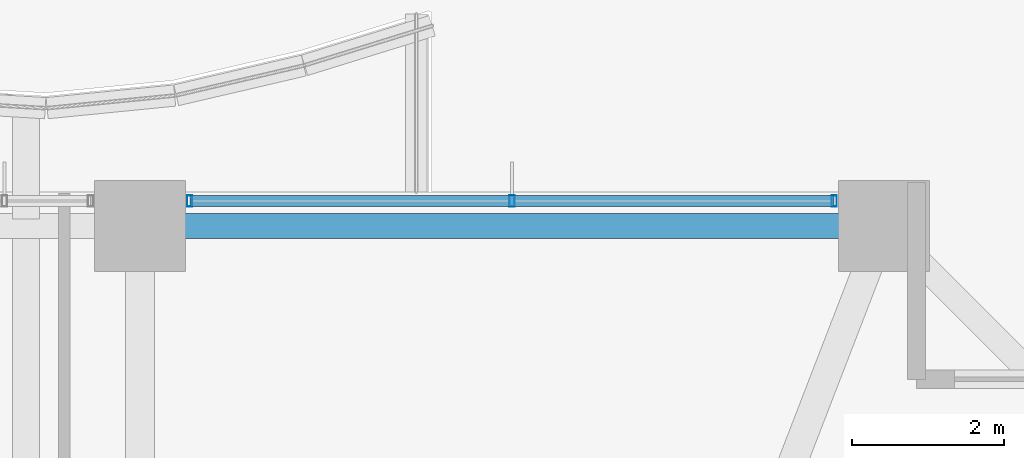
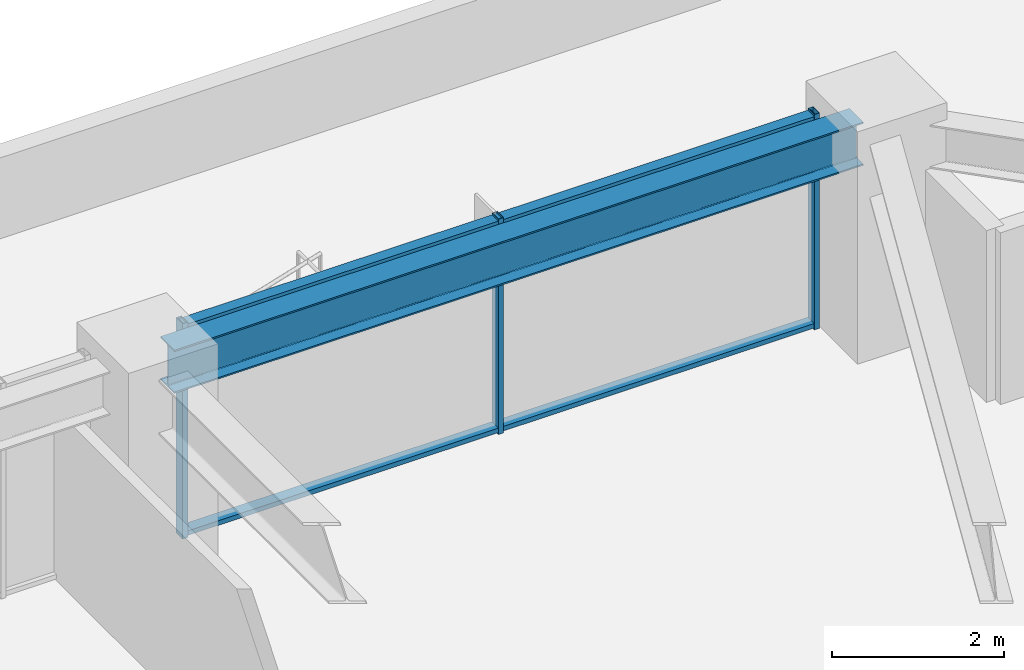
# One storey, part 24 of 36: 5 members, 1 beam, 1 element without a shape of its own.
"""IFC4 building model written with IfcOpenShell, lengths in metres."""

from ifc_helpers import new_model, si_unit, direction, frame, origin, origin_2d, place, context, subcontext, project, spatial, hollow_rectangle, i_section, extrude, material, material_profile, profile_set, type_object, element, aggregate, save


model = new_model("IFC4")

# Units and contexts
model_context = context("Model", 3, precision=1e-05, world=origin(), true_north=direction((0.0, 1.0)))
body_context = subcontext(model_context, "Body", "Model", "MODEL_VIEW")
ifc_project = project(units=[si_unit("LENGTHUNIT", "METRE"), si_unit("AREAUNIT", "SQUARE_METRE"), si_unit("VOLUMEUNIT", "CUBIC_METRE"), si_unit("PLANEANGLEUNIT", "RADIAN"), si_unit("MASSUNIT", "GRAM", prefix="KILO")], contexts=[model_context])

# Site, building, storey
site_placement = place(None, origin())
site = spatial("IfcSite", under=ifc_project, at=site_placement, CompositionType="ELEMENT")
building_placement = place(site_placement, origin())
building = spatial("IfcBuilding", under=site, at=building_placement, Name="Kolvaren Belvedere", CompositionType="ELEMENT")
storey_placement = place(building_placement, frame((0.0, 0.0, 23.800048828125)))
storey = spatial("IfcBuildingStorey", under=building, at=storey_placement, Name="L06", CompositionType="ELEMENT", Elevation=23.800048828125)

# Beam
ifc_material_1 = material(Name="Structural steel ASTM A992 Grade 50", Category="steel")
ifc_material_profile_1 = material_profile(ifc_material_1, i_section(OverallWidth=0.324951171875, OverallDepth=0.615966796875, WebThickness=0.013916015625, FlangeThickness=0.021484375, FilletRadius=0.02001953125, at=origin_2d()), Name="W24X117")
ifc_profile_set_1 = profile_set([ifc_material_profile_1], Name="Structural steel ASTM A992 Grade 50")
beam_type = type_object("IfcBeamType", Name="BM-SPAN-W24X117", PredefinedType="SPANDREL", material=ifc_profile_set_1)
beam_placement = place(storey_placement, frame((14.1298828125, 21.550048828125, 2.751953125), z_axis=(-1.0, 0.0, 0.0), x_axis=(0.0, -1.0, 0.0)))
element("IfcBeam", 1, at=beam_placement, inside=storey, type_object=beam_type, Name="L06 Perimeter Spandrel N4-N3", PredefinedType="SPANDREL", context=body_context, shape_type="SweptSolid", body=[
    extrude(i_section(OverallWidth=0.324951171875, OverallDepth=0.615966796875, WebThickness=0.013916015625, FlangeThickness=0.021484375, FilletRadius=0.02001953125, at=origin_2d()), origin(), (0.0, 0.0, 1.0), 9.259765625),
])

# Curtain wall, members
ifc_material_2 = material(Name="Anodised pale-metal aluminium AA 6063-T6", Category="aluminium")
curtain_wall_type = type_object("IfcCurtainWallType", Name="CW-Z1-LOW", PredefinedType="NOTDEFINED", material=ifc_material_2)
curtain_wall_placement = place(storey_placement, origin())
curtain_wall = element("IfcCurtainWall", 2, at=curtain_wall_placement, inside=storey, type_object=curtain_wall_type, Name="L06 Unitised Curtain Wall FCW-L06-N2-B2", PredefinedType="NOTDEFINED")
ifc_material_3 = material(Name="Anodised pale-metal aluminium AA 6063-T6", Category="aluminium")
ifc_material_profile_2 = material_profile(ifc_material_3, hollow_rectangle(XDim=0.070068359375, YDim=0.14990234375, WallThickness=0.004150390625, at=origin_2d()), Name="ALU-MUL-150X70")
ifc_profile_set_2 = profile_set([ifc_material_profile_2], Name="Anodised pale-metal aluminium AA 6063-T6")
member_type_1 = type_object("IfcMemberType", Name="CW-MUL-150", PredefinedType="MULLION", material=ifc_profile_set_2)
member_1_placement = place(storey_placement, frame((5.2548828125, 21.8798828125, 0.0), z_axis=(0.0, 0.0, 1.0), x_axis=(1.0, 0.0, 0.0)))
member_1 = element("IfcMember", 3, at=member_1_placement, type_object=member_type_1, Name="FCW-L06-N2-B2 Unitised Mullion 1", PredefinedType="MULLION", context=body_context, shape_type="SweptSolid", body=[
    extrude(hollow_rectangle(XDim=0.070068359375, YDim=0.14990234375, WallThickness=0.004150390625, at=origin_2d()), origin(), (0.0, 0.0, 1.0), 3.06005859375),
])
member_2_placement = place(storey_placement, frame((9.5, 21.8798828125, 0.0), z_axis=(0.0, 0.0, 1.0), x_axis=(1.0, 0.0, 0.0)))
member_2 = element("IfcMember", 4, at=member_2_placement, type_object=member_type_1, Name="FCW-L06-N2-B2 Unitised Mullion 2", PredefinedType="MULLION", context=body_context, shape_type="SweptSolid", body=[
    extrude(hollow_rectangle(XDim=0.070068359375, YDim=0.14990234375, WallThickness=0.004150390625, at=origin_2d()), origin(), (0.0, 0.0, 1.0), 3.06005859375),
])
member_3_placement = place(storey_placement, frame((13.7451171875, 21.8798828125, 0.0), z_axis=(0.0, 0.0, 1.0), x_axis=(1.0, 0.0, 0.0)))
member_3 = element("IfcMember", 5, at=member_3_placement, type_object=member_type_1, Name="FCW-L06-N2-B2 Unitised Mullion 3", PredefinedType="MULLION", context=body_context, shape_type="SweptSolid", body=[
    extrude(hollow_rectangle(XDim=0.070068359375, YDim=0.14990234375, WallThickness=0.004150390625, at=origin_2d()), origin(), (0.0, 0.0, 1.0), 3.06005859375),
])
ifc_material_4 = material(Name="Anodised pale-metal aluminium AA 6063-T6", Category="aluminium")
ifc_material_profile_3 = material_profile(ifc_material_4, hollow_rectangle(XDim=0.06494140625, YDim=0.14990234375, WallThickness=0.00390625, at=origin_2d()), Name="ALU-TRN-150X65")
ifc_profile_set_3 = profile_set([ifc_material_profile_3], Name="Anodised pale-metal aluminium AA 6063-T6")
member_type_2 = type_object("IfcMemberType", Name="CW-TRN-150", PredefinedType="USERDEFINED", material=ifc_profile_set_3)
member_4_placement = place(storey_placement, frame((5.2548828125, 21.8798828125, 0.06005859375), z_axis=(1.0, 0.0, 0.0), x_axis=(0.0, 0.0, 1.0)))
member_4 = element("IfcMember", 6, at=member_4_placement, type_object=member_type_2, Name="FCW-L06-N2-B2 Sill Transom", ObjectType="TRANSOM", PredefinedType="USERDEFINED", context=body_context, shape_type="SweptSolid", body=[
    extrude(hollow_rectangle(XDim=0.06494140625, YDim=0.14990234375, WallThickness=0.00390625, at=origin_2d()), origin(), (0.0, 0.0, 1.0), 8.490234375),
])
member_5_placement = place(storey_placement, frame((5.2548828125, 21.8798828125, 3.0), z_axis=(1.0, 0.0, 0.0), x_axis=(0.0, 0.0, 1.0)))
member_5 = element("IfcMember", 7, at=member_5_placement, type_object=member_type_2, Name="FCW-L06-N2-B2 Head Transom", ObjectType="TRANSOM", PredefinedType="USERDEFINED", context=body_context, shape_type="SweptSolid", body=[
    extrude(hollow_rectangle(XDim=0.06494140625, YDim=0.14990234375, WallThickness=0.00390625, at=origin_2d()), origin(), (0.0, 0.0, 1.0), 8.490234375),
])
aggregate(curtain_wall, [member_1, member_2, member_3, member_4, member_5])

save(model, "model.ifc")
